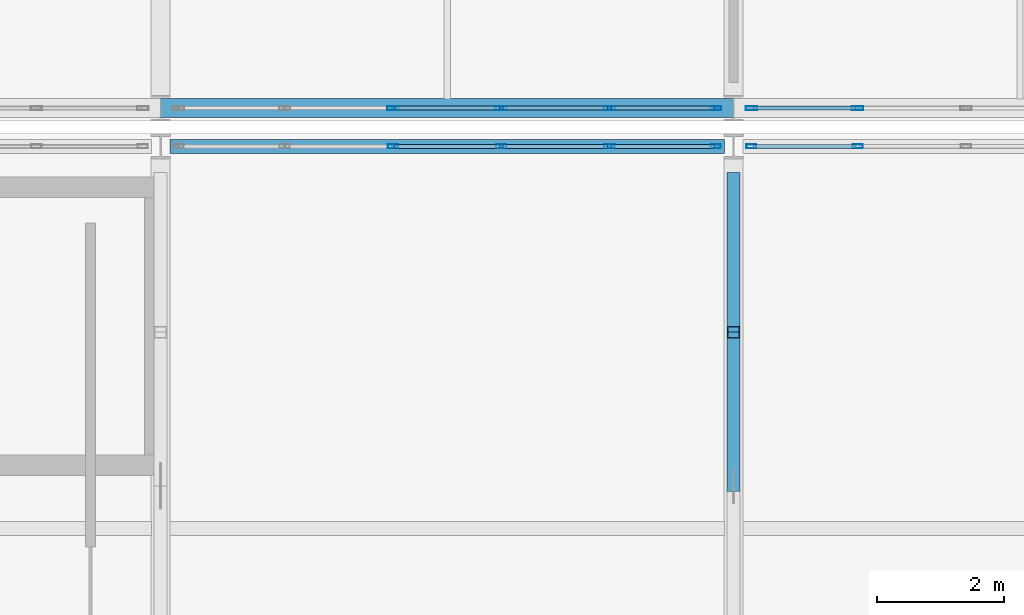
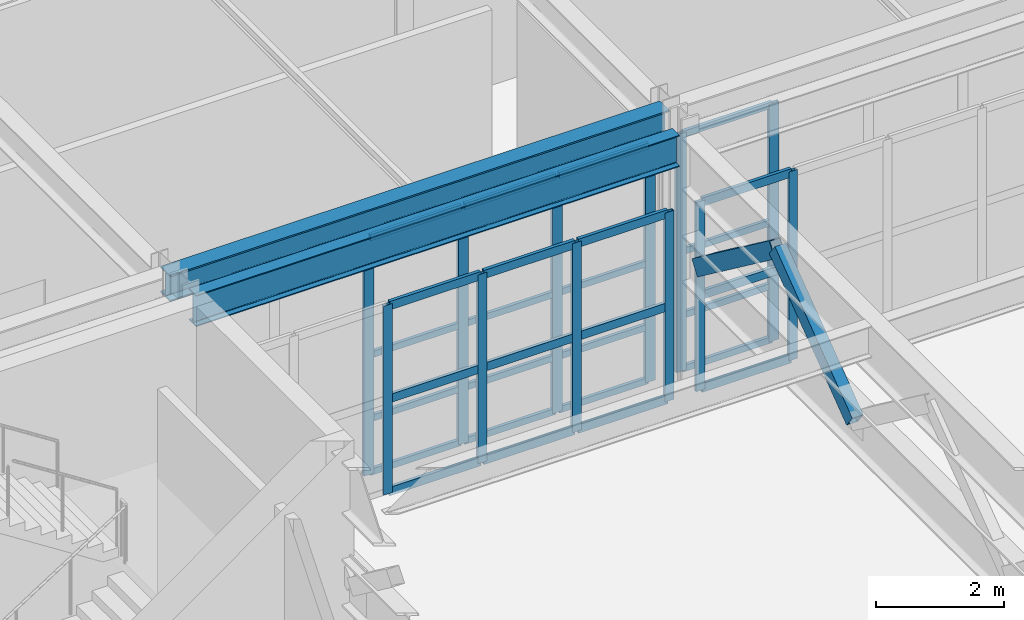
# One storey, part 43 of 210: 42 members, 2 beams, 4 elements without a shape of their own.
"""IFC4 building model written with IfcOpenShell, lengths in metres."""

from ifc_helpers import new_model, si_unit, direction, frame, origin, origin_2d, place, context, subcontext, project, spatial, hollow_rectangle, i_section, extrude, material, material_profile, profile_set, type_object, element, aggregate, save


model = new_model("IFC4")

# Units and contexts
model_context = context("Model", 3, precision=1e-05, world=origin(), true_north=direction((0.0, 1.0)))
body_context = subcontext(model_context, "Body", "Model", "MODEL_VIEW")
ifc_project = project(units=[si_unit("LENGTHUNIT", "METRE"), si_unit("AREAUNIT", "SQUARE_METRE"), si_unit("VOLUMEUNIT", "CUBIC_METRE"), si_unit("PLANEANGLEUNIT", "RADIAN"), si_unit("MASSUNIT", "GRAM", prefix="KILO")], contexts=[model_context])

# Site, building, storey
site_placement = place(None, origin())
site = spatial("IfcSite", under=ifc_project, at=site_placement, CompositionType="ELEMENT")
building_placement = place(site_placement, origin())
building = spatial("IfcBuilding", under=site, at=building_placement, Name="Kaldris Quays Convention Centre", CompositionType="ELEMENT")
storey_placement = place(building_placement, frame((0.0, 0.0, 6.0)))
storey = spatial("IfcBuildingStorey", under=building, at=storey_placement, Name="L01", CompositionType="ELEMENT", Elevation=6.0)

# Curtain wall, members
ifc_material_1 = material(Name="Anodized aluminium AW-6060 and triple glazing", Category="aluminium")
curtain_wall_type_1 = type_object("IfcCurtainWallType", Name="UNITISED CURTAIN WALL CW05", PredefinedType="NOTDEFINED", material=ifc_material_1)
curtain_wall_1_placement = place(storey_placement, origin())
curtain_wall_1 = element("IfcCurtainWall", 1, at=curtain_wall_1_placement, inside=storey, type_object=curtain_wall_type_1, Name="L01 Unitised Curtain Wall CW05 68", PredefinedType="NOTDEFINED")
ifc_material_2 = material(Name="Anodized aluminium AW-6060", Category="aluminium")
ifc_material_profile_1 = material_profile(ifc_material_2, hollow_rectangle(XDim=0.06005859375, YDim=0.159912109375, WallThickness=0.00390625, at=origin_2d()), Name="RHS 160x60x4")
ifc_profile_set_1 = profile_set([ifc_material_profile_1], Name="Anodized aluminium AW-6060")
member_type_1 = type_object("IfcMemberType", Name="CURTAIN MULLION CWM1", PredefinedType="MULLION", material=ifc_profile_set_1)
member_1_placement = place(storey_placement, frame((59.64990234375, 46.0, 0.0), z_axis=(0.0, 0.0, 1.0), x_axis=(0.0, 1.0, 0.0)))
member_1 = element("IfcMember", 2, at=member_1_placement, type_object=member_type_1, Name="CW05 mullion 3", PredefinedType="MULLION", context=body_context, shape_type="SweptSolid", body=[
    extrude(hollow_rectangle(XDim=0.06005859375, YDim=0.159912109375, WallThickness=0.00390625, at=origin_2d()), origin(), (0.0, 0.0, 1.0), 3.60009765625),
])
member_2_placement = place(storey_placement, frame((61.35009765625, 46.0, 0.0), z_axis=(0.0, 0.0, 1.0), x_axis=(0.0, 1.0, 0.0)))
member_2 = element("IfcMember", 3, at=member_2_placement, type_object=member_type_1, Name="CW05 mullion 4", PredefinedType="MULLION", context=body_context, shape_type="SweptSolid", body=[
    extrude(hollow_rectangle(XDim=0.06005859375, YDim=0.159912109375, WallThickness=0.00390625, at=origin_2d()), origin(), (0.0, 0.0, 1.0), 3.60009765625),
])
member_3_placement = place(storey_placement, frame((63.050048828125, 46.0, 0.0), z_axis=(0.0, 0.0, 1.0), x_axis=(0.0, 1.0, 0.0)))
member_3 = element("IfcMember", 4, at=member_3_placement, type_object=member_type_1, Name="CW05 mullion 5", PredefinedType="MULLION", context=body_context, shape_type="SweptSolid", body=[
    extrude(hollow_rectangle(XDim=0.06005859375, YDim=0.159912109375, WallThickness=0.00390625, at=origin_2d()), origin(), (0.0, 0.0, 1.0), 3.60009765625),
])
member_4_placement = place(storey_placement, frame((64.719970703125, 46.0, 0.0), z_axis=(0.0, 0.0, 1.0), x_axis=(0.0, 1.0, 0.0)))
member_4 = element("IfcMember", 5, at=member_4_placement, type_object=member_type_1, Name="CW05 mullion 6", PredefinedType="MULLION", context=body_context, shape_type="SweptSolid", body=[
    extrude(hollow_rectangle(XDim=0.06005859375, YDim=0.159912109375, WallThickness=0.00390625, at=origin_2d()), origin(), (0.0, 0.0, 1.0), 3.60009765625),
])

curtain_wall_2_placement = place(storey_placement, origin())
curtain_wall_2 = element("IfcCurtainWall", 6, at=curtain_wall_2_placement, inside=storey, type_object=curtain_wall_type_1, Name="L01 Unitised Curtain Wall CW05 70", PredefinedType="NOTDEFINED")
member_5_placement = place(storey_placement, frame((65.280029296875, 46.0, 0.0), z_axis=(0.0, 0.0, 1.0), x_axis=(0.0, 1.0, 0.0)))
member_5 = element("IfcMember", 7, at=member_5_placement, type_object=member_type_1, Name="CW05 mullion 1", PredefinedType="MULLION", context=body_context, shape_type="SweptSolid", body=[
    extrude(hollow_rectangle(XDim=0.06005859375, YDim=0.159912109375, WallThickness=0.00390625, at=origin_2d()), origin(), (0.0, 0.0, 1.0), 3.60009765625),
])
member_6_placement = place(storey_placement, frame((66.949951171875, 46.0, 0.0), z_axis=(0.0, 0.0, 1.0), x_axis=(0.0, 1.0, 0.0)))
member_6 = element("IfcMember", 8, at=member_6_placement, type_object=member_type_1, Name="CW05 mullion 2", PredefinedType="MULLION", context=body_context, shape_type="SweptSolid", body=[
    extrude(hollow_rectangle(XDim=0.06005859375, YDim=0.159912109375, WallThickness=0.00390625, at=origin_2d()), origin(), (0.0, 0.0, 1.0), 3.60009765625),
])

curtain_wall_type_2 = type_object("IfcCurtainWallType", Name="UNITISED CURTAIN WALL CW02", PredefinedType="NOTDEFINED", material=ifc_material_1)
curtain_wall_3_placement = place(storey_placement, origin())
curtain_wall_3 = element("IfcCurtainWall", 9, at=curtain_wall_3_placement, inside=storey, type_object=curtain_wall_type_2, Name="L01 Unitised Curtain Wall CW02 93", PredefinedType="NOTDEFINED")
ifc_material_profile_2 = material_profile(ifc_material_2, hollow_rectangle(XDim=0.06005859375, YDim=0.179931640625, WallThickness=0.0048828125, at=origin_2d()), Name="RHS 180x60x5")
ifc_profile_set_2 = profile_set([ifc_material_profile_2], Name="Anodized aluminium AW-6060")
member_type_2 = type_object("IfcMemberType", Name="CURTAIN MULLION CWM2", PredefinedType="MULLION", material=ifc_profile_set_2)
member_7_placement = place(storey_placement, frame((59.64990234375, 46.60009765625, 0.0), z_axis=(0.0, 0.0, 1.0), x_axis=(0.0, 1.0, 0.0)))
member_7 = element("IfcMember", 10, at=member_7_placement, type_object=member_type_2, Name="CW02 mullion 3", PredefinedType="MULLION", context=body_context, shape_type="SweptSolid", body=[
    extrude(hollow_rectangle(XDim=0.06005859375, YDim=0.179931640625, WallThickness=0.0048828125, at=origin_2d()), origin(), (0.0, 0.0, 1.0), 4.528076171875),
])
member_8_placement = place(storey_placement, frame((61.35009765625, 46.60009765625, 0.0), z_axis=(0.0, 0.0, 1.0), x_axis=(0.0, 1.0, 0.0)))
member_8 = element("IfcMember", 11, at=member_8_placement, type_object=member_type_2, Name="CW02 mullion 4", PredefinedType="MULLION", context=body_context, shape_type="SweptSolid", body=[
    extrude(hollow_rectangle(XDim=0.06005859375, YDim=0.179931640625, WallThickness=0.0048828125, at=origin_2d()), origin(), (0.0, 0.0, 1.0), 4.528076171875),
])
member_9_placement = place(storey_placement, frame((63.050048828125, 46.60009765625, 0.0), z_axis=(0.0, 0.0, 1.0), x_axis=(0.0, 1.0, 0.0)))
member_9 = element("IfcMember", 12, at=member_9_placement, type_object=member_type_2, Name="CW02 mullion 5", PredefinedType="MULLION", context=body_context, shape_type="SweptSolid", body=[
    extrude(hollow_rectangle(XDim=0.06005859375, YDim=0.179931640625, WallThickness=0.0048828125, at=origin_2d()), origin(), (0.0, 0.0, 1.0), 4.528076171875),
])
member_10_placement = place(storey_placement, frame((64.719970703125, 46.60009765625, 0.0), z_axis=(0.0, 0.0, 1.0), x_axis=(0.0, 1.0, 0.0)))
member_10 = element("IfcMember", 13, at=member_10_placement, type_object=member_type_2, Name="CW02 mullion 6", PredefinedType="MULLION", context=body_context, shape_type="SweptSolid", body=[
    extrude(hollow_rectangle(XDim=0.06005859375, YDim=0.179931640625, WallThickness=0.0048828125, at=origin_2d()), origin(), (0.0, 0.0, 1.0), 4.528076171875),
])

curtain_wall_4_placement = place(storey_placement, origin())
curtain_wall_4 = element("IfcCurtainWall", 14, at=curtain_wall_4_placement, inside=storey, type_object=curtain_wall_type_2, Name="L01 Unitised Curtain Wall CW02 94", PredefinedType="NOTDEFINED")
member_11_placement = place(storey_placement, frame((65.280029296875, 46.60009765625, 0.0), z_axis=(0.0, 0.0, 1.0), x_axis=(0.0, 1.0, 0.0)))
member_11 = element("IfcMember", 15, at=member_11_placement, type_object=member_type_2, Name="CW02 mullion 1", PredefinedType="MULLION", context=body_context, shape_type="SweptSolid", body=[
    extrude(hollow_rectangle(XDim=0.06005859375, YDim=0.179931640625, WallThickness=0.0048828125, at=origin_2d()), origin(), (0.0, 0.0, 1.0), 4.528076171875),
])
member_12_placement = place(storey_placement, frame((66.949951171875, 46.60009765625, 0.0), z_axis=(0.0, 0.0, 1.0), x_axis=(0.0, 1.0, 0.0)))
member_12 = element("IfcMember", 16, at=member_12_placement, type_object=member_type_2, Name="CW02 mullion 2", PredefinedType="MULLION", context=body_context, shape_type="SweptSolid", body=[
    extrude(hollow_rectangle(XDim=0.06005859375, YDim=0.179931640625, WallThickness=0.0048828125, at=origin_2d()), origin(), (0.0, 0.0, 1.0), 4.528076171875),
])

# Member
ifc_material_profile_3 = material_profile(ifc_material_2, hollow_rectangle(XDim=0.06005859375, YDim=0.1201171875, WallThickness=0.00390625, at=origin_2d()), Name="RHS 120x60x4")
ifc_profile_set_3 = profile_set([ifc_material_profile_3], Name="Anodized aluminium AW-6060")
member_type_3 = type_object("IfcMemberType", Name="CURTAIN TRANSOM CWT1", PredefinedType="USERDEFINED", material=ifc_profile_set_3)
member_13_placement = place(storey_placement, frame((59.679931640625, 46.60009765625, 0.030029296875), z_axis=(1.0, 0.0, 0.0), x_axis=(0.0, 1.0, 0.0)))
member_13 = element("IfcMember", 17, at=member_13_placement, type_object=member_type_3, Name="CW02 transom 3.1", ObjectType="TRANSOM", PredefinedType="USERDEFINED", context=body_context, shape_type="SweptSolid", body=[
    extrude(hollow_rectangle(XDim=0.06005859375, YDim=0.1201171875, WallThickness=0.00390625, at=origin_2d()), origin(), (0.0, 0.0, 1.0), 1.64013671875),
])

member_14_placement = place(storey_placement, frame((59.679931640625, 46.60009765625, 1.050048828125), z_axis=(1.0, 0.0, 0.0), x_axis=(0.0, 1.0, 0.0)))
member_14 = element("IfcMember", 18, at=member_14_placement, type_object=member_type_3, Name="CW02 transom 3.2", ObjectType="TRANSOM", PredefinedType="USERDEFINED", context=body_context, shape_type="SweptSolid", body=[
    extrude(hollow_rectangle(XDim=0.06005859375, YDim=0.1201171875, WallThickness=0.00390625, at=origin_2d()), origin(), (0.0, 0.0, 1.0), 1.64013671875),
])

member_15_placement = place(storey_placement, frame((59.679931640625, 46.60009765625, 2.263916015625), z_axis=(1.0, 0.0, 0.0), x_axis=(0.0, 1.0, 0.0)))
member_15 = element("IfcMember", 19, at=member_15_placement, type_object=member_type_3, Name="CW02 transom 3.3", ObjectType="TRANSOM", PredefinedType="USERDEFINED", context=body_context, shape_type="SweptSolid", body=[
    extrude(hollow_rectangle(XDim=0.06005859375, YDim=0.1201171875, WallThickness=0.00390625, at=origin_2d()), origin(), (0.0, 0.0, 1.0), 1.64013671875),
])

member_16_placement = place(storey_placement, frame((59.679931640625, 46.60009765625, 4.498046875), z_axis=(1.0, 0.0, 0.0), x_axis=(0.0, 1.0, 0.0)))
member_16 = element("IfcMember", 20, at=member_16_placement, type_object=member_type_3, Name="CW02 transom 3.4", ObjectType="TRANSOM", PredefinedType="USERDEFINED", context=body_context, shape_type="SweptSolid", body=[
    extrude(hollow_rectangle(XDim=0.06005859375, YDim=0.1201171875, WallThickness=0.00390625, at=origin_2d()), origin(), (0.0, 0.0, 1.0), 1.64013671875),
])

member_17_placement = place(storey_placement, frame((61.3798828125, 46.60009765625, 0.030029296875), z_axis=(1.0, 0.0, 0.0), x_axis=(0.0, 1.0, 0.0)))
member_17 = element("IfcMember", 21, at=member_17_placement, type_object=member_type_3, Name="CW02 transom 4.1", ObjectType="TRANSOM", PredefinedType="USERDEFINED", context=body_context, shape_type="SweptSolid", body=[
    extrude(hollow_rectangle(XDim=0.06005859375, YDim=0.1201171875, WallThickness=0.00390625, at=origin_2d()), origin(), (0.0, 0.0, 1.0), 1.64013671875),
])

member_18_placement = place(storey_placement, frame((61.3798828125, 46.60009765625, 1.050048828125), z_axis=(1.0, 0.0, 0.0), x_axis=(0.0, 1.0, 0.0)))
member_18 = element("IfcMember", 22, at=member_18_placement, type_object=member_type_3, Name="CW02 transom 4.2", ObjectType="TRANSOM", PredefinedType="USERDEFINED", context=body_context, shape_type="SweptSolid", body=[
    extrude(hollow_rectangle(XDim=0.06005859375, YDim=0.1201171875, WallThickness=0.00390625, at=origin_2d()), origin(), (0.0, 0.0, 1.0), 1.64013671875),
])

member_19_placement = place(storey_placement, frame((61.3798828125, 46.60009765625, 2.263916015625), z_axis=(1.0, 0.0, 0.0), x_axis=(0.0, 1.0, 0.0)))
member_19 = element("IfcMember", 23, at=member_19_placement, type_object=member_type_3, Name="CW02 transom 4.3", ObjectType="TRANSOM", PredefinedType="USERDEFINED", context=body_context, shape_type="SweptSolid", body=[
    extrude(hollow_rectangle(XDim=0.06005859375, YDim=0.1201171875, WallThickness=0.00390625, at=origin_2d()), origin(), (0.0, 0.0, 1.0), 1.64013671875),
])

member_20_placement = place(storey_placement, frame((61.3798828125, 46.60009765625, 4.498046875), z_axis=(1.0, 0.0, 0.0), x_axis=(0.0, 1.0, 0.0)))
member_20 = element("IfcMember", 24, at=member_20_placement, type_object=member_type_3, Name="CW02 transom 4.4", ObjectType="TRANSOM", PredefinedType="USERDEFINED", context=body_context, shape_type="SweptSolid", body=[
    extrude(hollow_rectangle(XDim=0.06005859375, YDim=0.1201171875, WallThickness=0.00390625, at=origin_2d()), origin(), (0.0, 0.0, 1.0), 1.64013671875),
])

member_21_placement = place(storey_placement, frame((63.080078125, 46.60009765625, 0.030029296875), z_axis=(1.0, 0.0, 0.0), x_axis=(0.0, 1.0, 0.0)))
member_21 = element("IfcMember", 25, at=member_21_placement, type_object=member_type_3, Name="CW02 transom 5.1", ObjectType="TRANSOM", PredefinedType="USERDEFINED", context=body_context, shape_type="SweptSolid", body=[
    extrude(hollow_rectangle(XDim=0.06005859375, YDim=0.1201171875, WallThickness=0.00390625, at=origin_2d()), origin(), (0.0, 0.0, 1.0), 1.60986328125),
])

member_22_placement = place(storey_placement, frame((63.080078125, 46.60009765625, 1.050048828125), z_axis=(1.0, 0.0, 0.0), x_axis=(0.0, 1.0, 0.0)))
member_22 = element("IfcMember", 26, at=member_22_placement, type_object=member_type_3, Name="CW02 transom 5.2", ObjectType="TRANSOM", PredefinedType="USERDEFINED", context=body_context, shape_type="SweptSolid", body=[
    extrude(hollow_rectangle(XDim=0.06005859375, YDim=0.1201171875, WallThickness=0.00390625, at=origin_2d()), origin(), (0.0, 0.0, 1.0), 1.60986328125),
])

member_23_placement = place(storey_placement, frame((63.080078125, 46.60009765625, 2.263916015625), z_axis=(1.0, 0.0, 0.0), x_axis=(0.0, 1.0, 0.0)))
member_23 = element("IfcMember", 27, at=member_23_placement, type_object=member_type_3, Name="CW02 transom 5.3", ObjectType="TRANSOM", PredefinedType="USERDEFINED", context=body_context, shape_type="SweptSolid", body=[
    extrude(hollow_rectangle(XDim=0.06005859375, YDim=0.1201171875, WallThickness=0.00390625, at=origin_2d()), origin(), (0.0, 0.0, 1.0), 1.60986328125),
])

member_24_placement = place(storey_placement, frame((63.080078125, 46.60009765625, 4.498046875), z_axis=(1.0, 0.0, 0.0), x_axis=(0.0, 1.0, 0.0)))
member_24 = element("IfcMember", 28, at=member_24_placement, type_object=member_type_3, Name="CW02 transom 5.4", ObjectType="TRANSOM", PredefinedType="USERDEFINED", context=body_context, shape_type="SweptSolid", body=[
    extrude(hollow_rectangle(XDim=0.06005859375, YDim=0.1201171875, WallThickness=0.00390625, at=origin_2d()), origin(), (0.0, 0.0, 1.0), 1.60986328125),
])

aggregate(curtain_wall_3, [member_7, member_8, member_9, member_10, member_13, member_14, member_15, member_16, member_17, member_18, member_19, member_20, member_21, member_22, member_23, member_24])

member_25_placement = place(storey_placement, frame((65.31005859375, 46.60009765625, 0.030029296875), z_axis=(1.0, 0.0, 0.0), x_axis=(0.0, 1.0, 0.0)))
member_25 = element("IfcMember", 29, at=member_25_placement, type_object=member_type_3, Name="CW02 transom 1.1", ObjectType="TRANSOM", PredefinedType="USERDEFINED", context=body_context, shape_type="SweptSolid", body=[
    extrude(hollow_rectangle(XDim=0.06005859375, YDim=0.1201171875, WallThickness=0.00390625, at=origin_2d()), origin(), (0.0, 0.0, 1.0), 1.60986328125),
])

member_26_placement = place(storey_placement, frame((65.31005859375, 46.60009765625, 1.050048828125), z_axis=(1.0, 0.0, 0.0), x_axis=(0.0, 1.0, 0.0)))
member_26 = element("IfcMember", 30, at=member_26_placement, type_object=member_type_3, Name="CW02 transom 1.2", ObjectType="TRANSOM", PredefinedType="USERDEFINED", context=body_context, shape_type="SweptSolid", body=[
    extrude(hollow_rectangle(XDim=0.06005859375, YDim=0.1201171875, WallThickness=0.00390625, at=origin_2d()), origin(), (0.0, 0.0, 1.0), 1.60986328125),
])

member_27_placement = place(storey_placement, frame((65.31005859375, 46.60009765625, 2.263916015625), z_axis=(1.0, 0.0, 0.0), x_axis=(0.0, 1.0, 0.0)))
member_27 = element("IfcMember", 31, at=member_27_placement, type_object=member_type_3, Name="CW02 transom 1.3", ObjectType="TRANSOM", PredefinedType="USERDEFINED", context=body_context, shape_type="SweptSolid", body=[
    extrude(hollow_rectangle(XDim=0.06005859375, YDim=0.1201171875, WallThickness=0.00390625, at=origin_2d()), origin(), (0.0, 0.0, 1.0), 1.60986328125),
])

member_28_placement = place(storey_placement, frame((65.31005859375, 46.60009765625, 4.498046875), z_axis=(1.0, 0.0, 0.0), x_axis=(0.0, 1.0, 0.0)))
member_28 = element("IfcMember", 32, at=member_28_placement, type_object=member_type_3, Name="CW02 transom 1.4", ObjectType="TRANSOM", PredefinedType="USERDEFINED", context=body_context, shape_type="SweptSolid", body=[
    extrude(hollow_rectangle(XDim=0.06005859375, YDim=0.1201171875, WallThickness=0.00390625, at=origin_2d()), origin(), (0.0, 0.0, 1.0), 1.60986328125),
])

aggregate(curtain_wall_4, [member_11, member_12, member_25, member_26, member_27, member_28])

ifc_material_profile_4 = material_profile(ifc_material_2, hollow_rectangle(XDim=0.06005859375, YDim=0.159912109375, WallThickness=0.00390625, at=origin_2d()), Name="RHS 160x60x4")
ifc_profile_set_4 = profile_set([ifc_material_profile_4], Name="Anodized aluminium AW-6060")
member_type_4 = type_object("IfcMemberType", Name="CURTAIN TRANSOM CWT2", PredefinedType="USERDEFINED", material=ifc_profile_set_4)
member_29_placement = place(storey_placement, frame((59.679931640625, 46.0, 0.030029296875), z_axis=(1.0, 0.0, 0.0), x_axis=(0.0, 1.0, 0.0)))
member_29 = element("IfcMember", 33, at=member_29_placement, type_object=member_type_4, Name="CW05 transom 3.1", ObjectType="TRANSOM", PredefinedType="USERDEFINED", context=body_context, shape_type="SweptSolid", body=[
    extrude(hollow_rectangle(XDim=0.06005859375, YDim=0.159912109375, WallThickness=0.00390625, at=origin_2d()), origin(), (0.0, 0.0, 1.0), 1.64013671875),
])

member_30_placement = place(storey_placement, frame((59.679931640625, 46.0, 1.800048828125), z_axis=(1.0, 0.0, 0.0), x_axis=(0.0, 1.0, 0.0)))
member_30 = element("IfcMember", 34, at=member_30_placement, type_object=member_type_4, Name="CW05 transom 3.2", ObjectType="TRANSOM", PredefinedType="USERDEFINED", context=body_context, shape_type="SweptSolid", body=[
    extrude(hollow_rectangle(XDim=0.06005859375, YDim=0.159912109375, WallThickness=0.00390625, at=origin_2d()), origin(), (0.0, 0.0, 1.0), 1.64013671875),
])

member_31_placement = place(storey_placement, frame((59.679931640625, 46.0, 3.570068359375), z_axis=(1.0, 0.0, 0.0), x_axis=(0.0, 1.0, 0.0)))
member_31 = element("IfcMember", 35, at=member_31_placement, type_object=member_type_4, Name="CW05 transom 3.3", ObjectType="TRANSOM", PredefinedType="USERDEFINED", context=body_context, shape_type="SweptSolid", body=[
    extrude(hollow_rectangle(XDim=0.06005859375, YDim=0.159912109375, WallThickness=0.00390625, at=origin_2d()), origin(), (0.0, 0.0, 1.0), 1.64013671875),
])

member_32_placement = place(storey_placement, frame((61.3798828125, 46.0, 0.030029296875), z_axis=(1.0, 0.0, 0.0), x_axis=(0.0, 1.0, 0.0)))
member_32 = element("IfcMember", 36, at=member_32_placement, type_object=member_type_4, Name="CW05 transom 4.1", ObjectType="TRANSOM", PredefinedType="USERDEFINED", context=body_context, shape_type="SweptSolid", body=[
    extrude(hollow_rectangle(XDim=0.06005859375, YDim=0.159912109375, WallThickness=0.00390625, at=origin_2d()), origin(), (0.0, 0.0, 1.0), 1.64013671875),
])

member_33_placement = place(storey_placement, frame((61.3798828125, 46.0, 1.800048828125), z_axis=(1.0, 0.0, 0.0), x_axis=(0.0, 1.0, 0.0)))
member_33 = element("IfcMember", 37, at=member_33_placement, type_object=member_type_4, Name="CW05 transom 4.2", ObjectType="TRANSOM", PredefinedType="USERDEFINED", context=body_context, shape_type="SweptSolid", body=[
    extrude(hollow_rectangle(XDim=0.06005859375, YDim=0.159912109375, WallThickness=0.00390625, at=origin_2d()), origin(), (0.0, 0.0, 1.0), 1.64013671875),
])

member_34_placement = place(storey_placement, frame((61.3798828125, 46.0, 3.570068359375), z_axis=(1.0, 0.0, 0.0), x_axis=(0.0, 1.0, 0.0)))
member_34 = element("IfcMember", 38, at=member_34_placement, type_object=member_type_4, Name="CW05 transom 4.3", ObjectType="TRANSOM", PredefinedType="USERDEFINED", context=body_context, shape_type="SweptSolid", body=[
    extrude(hollow_rectangle(XDim=0.06005859375, YDim=0.159912109375, WallThickness=0.00390625, at=origin_2d()), origin(), (0.0, 0.0, 1.0), 1.64013671875),
])

member_35_placement = place(storey_placement, frame((63.080078125, 46.0, 0.030029296875), z_axis=(1.0, 0.0, 0.0), x_axis=(0.0, 1.0, 0.0)))
member_35 = element("IfcMember", 39, at=member_35_placement, type_object=member_type_4, Name="CW05 transom 5.1", ObjectType="TRANSOM", PredefinedType="USERDEFINED", context=body_context, shape_type="SweptSolid", body=[
    extrude(hollow_rectangle(XDim=0.06005859375, YDim=0.159912109375, WallThickness=0.00390625, at=origin_2d()), origin(), (0.0, 0.0, 1.0), 1.60986328125),
])

member_36_placement = place(storey_placement, frame((63.080078125, 46.0, 1.800048828125), z_axis=(1.0, 0.0, 0.0), x_axis=(0.0, 1.0, 0.0)))
member_36 = element("IfcMember", 40, at=member_36_placement, type_object=member_type_4, Name="CW05 transom 5.2", ObjectType="TRANSOM", PredefinedType="USERDEFINED", context=body_context, shape_type="SweptSolid", body=[
    extrude(hollow_rectangle(XDim=0.06005859375, YDim=0.159912109375, WallThickness=0.00390625, at=origin_2d()), origin(), (0.0, 0.0, 1.0), 1.60986328125),
])

member_37_placement = place(storey_placement, frame((63.080078125, 46.0, 3.570068359375), z_axis=(1.0, 0.0, 0.0), x_axis=(0.0, 1.0, 0.0)))
member_37 = element("IfcMember", 41, at=member_37_placement, type_object=member_type_4, Name="CW05 transom 5.3", ObjectType="TRANSOM", PredefinedType="USERDEFINED", context=body_context, shape_type="SweptSolid", body=[
    extrude(hollow_rectangle(XDim=0.06005859375, YDim=0.159912109375, WallThickness=0.00390625, at=origin_2d()), origin(), (0.0, 0.0, 1.0), 1.60986328125),
])

aggregate(curtain_wall_1, [member_1, member_2, member_3, member_4, member_29, member_30, member_31, member_32, member_33, member_34, member_35, member_36, member_37])

member_38_placement = place(storey_placement, frame((65.31005859375, 46.0, 0.030029296875), z_axis=(1.0, 0.0, 0.0), x_axis=(0.0, 1.0, 0.0)))
member_38 = element("IfcMember", 42, at=member_38_placement, type_object=member_type_4, Name="CW05 transom 1.1", ObjectType="TRANSOM", PredefinedType="USERDEFINED", context=body_context, shape_type="SweptSolid", body=[
    extrude(hollow_rectangle(XDim=0.06005859375, YDim=0.159912109375, WallThickness=0.00390625, at=origin_2d()), origin(), (0.0, 0.0, 1.0), 1.60986328125),
])

member_39_placement = place(storey_placement, frame((65.31005859375, 46.0, 1.800048828125), z_axis=(1.0, 0.0, 0.0), x_axis=(0.0, 1.0, 0.0)))
member_39 = element("IfcMember", 43, at=member_39_placement, type_object=member_type_4, Name="CW05 transom 1.2", ObjectType="TRANSOM", PredefinedType="USERDEFINED", context=body_context, shape_type="SweptSolid", body=[
    extrude(hollow_rectangle(XDim=0.06005859375, YDim=0.159912109375, WallThickness=0.00390625, at=origin_2d()), origin(), (0.0, 0.0, 1.0), 1.60986328125),
])

member_40_placement = place(storey_placement, frame((65.31005859375, 46.0, 3.570068359375), z_axis=(1.0, 0.0, 0.0), x_axis=(0.0, 1.0, 0.0)))
member_40 = element("IfcMember", 44, at=member_40_placement, type_object=member_type_4, Name="CW05 transom 1.3", ObjectType="TRANSOM", PredefinedType="USERDEFINED", context=body_context, shape_type="SweptSolid", body=[
    extrude(hollow_rectangle(XDim=0.06005859375, YDim=0.159912109375, WallThickness=0.00390625, at=origin_2d()), origin(), (0.0, 0.0, 1.0), 1.60986328125),
])

aggregate(curtain_wall_2, [member_5, member_6, member_38, member_39, member_40])

# Beams
ifc_material_3 = material(Name="Steel S355J2", Category="steel")
ifc_material_profile_5 = material_profile(ifc_material_3, i_section(OverallWidth=0.300048828125, OverallDepth=0.5, WebThickness=0.014404296875, FlangeThickness=0.028076171875, FilletRadius=0.027099609375, at=origin_2d()), Name="HEB 500")
ifc_profile_set_5 = profile_set([ifc_material_profile_5], Name="Steel S355J2")
beam_type_1 = type_object("IfcBeamType", Name="STRUCTURAL BEAM BM06", PredefinedType="BEAM", material=ifc_profile_set_5)
beam_1_placement = place(storey_placement, frame((55.99951171875, 46.60009765625, 4.89306640625), z_axis=(1.0, 0.0, 0.0), x_axis=(0.0, 1.0, 0.0)))
element("IfcBeam", 45, at=beam_1_placement, inside=storey, type_object=beam_type_1, Name="L01 Girder BM06 4", PredefinedType="BEAM", context=body_context, shape_type="SweptSolid", body=[
    extrude(i_section(OverallWidth=0.300048828125, OverallDepth=0.5, WebThickness=0.014404296875, FlangeThickness=0.028076171875, FilletRadius=0.027099609375, at=origin_2d()), origin(), (0.0, 0.0, 1.0), 9.0009765625),
])
ifc_material_profile_6 = material_profile(ifc_material_3, i_section(OverallWidth=0.219970703125, OverallDepth=0.60009765625, WebThickness=0.011962890625, FlangeThickness=0.01904296875, FilletRadius=0.02392578125, at=origin_2d()), Name="IPE 600")
ifc_profile_set_6 = profile_set([ifc_material_profile_6], Name="Steel S355J2")
beam_type_2 = type_object("IfcBeamType", Name="STRUCTURAL BEAM BM10", PredefinedType="BEAM", material=ifc_profile_set_6)
beam_2_placement = place(storey_placement, frame((56.14501953125, 46.0, 4.758056640625), z_axis=(1.0, 0.0, 0.0), x_axis=(0.0, 1.0, 0.0)))
element("IfcBeam", 46, at=beam_2_placement, inside=storey, type_object=beam_type_2, Name="L01 Ballroom Tie Beam BM10", PredefinedType="BEAM", context=body_context, shape_type="SweptSolid", body=[
    extrude(i_section(OverallWidth=0.219970703125, OverallDepth=0.60009765625, WebThickness=0.011962890625, FlangeThickness=0.01904296875, FilletRadius=0.02392578125, at=origin_2d()), origin(), (0.0, 0.0, 1.0), 8.7099609375),
])

# Members
ifc_material_4 = material(Name="Steel S355J2H", Category="steel")
ifc_material_profile_7 = material_profile(ifc_material_4, hollow_rectangle(XDim=0.199951171875, YDim=0.300048828125, WallThickness=0.012451171875, at=origin_2d()), Name="RHS 300x200x12.5")
ifc_profile_set_7 = profile_set([ifc_material_profile_7], Name="Steel S355J2H")
member_type_5 = type_object("IfcMemberType", Name="STRUCTURAL MEMBER TTD1", PredefinedType="BRACE", material=ifc_profile_set_7)
member_41_placement = place(storey_placement, frame((65.0, 40.666748046875, 2.75), z_axis=(0.0, 0.800678988238, 0.599093613548), x_axis=(-1.0, 0.0, 0.0)))
element("IfcMember", 47, at=member_41_placement, inside=storey, type_object=member_type_5, Name="Transfer Truss TT06 Diagonal 11", PredefinedType="BRACE", context=body_context, shape_type="SweptSolid", body=[
    extrude(hollow_rectangle(XDim=0.199951171875, YDim=0.300048828125, WallThickness=0.012451171875, at=origin_2d()), origin(), (0.0, 0.0, 1.0), 3.01806640625),
])
member_42_placement = place(storey_placement, frame((65.0, 45.5, 2.75), z_axis=(0.0, -0.800708018983, 0.599054812464), x_axis=(1.0, 0.0, 0.0)))
element("IfcMember", 48, at=member_42_placement, inside=storey, type_object=member_type_5, Name="Transfer Truss TT06 Diagonal 12", PredefinedType="BRACE", context=body_context, shape_type="SweptSolid", body=[
    extrude(hollow_rectangle(XDim=0.199951171875, YDim=0.300048828125, WallThickness=0.012451171875, at=origin_2d()), origin(), (0.0, 0.0, 1.0), 3.018310546875),
])

save(model, "model.ifc")
